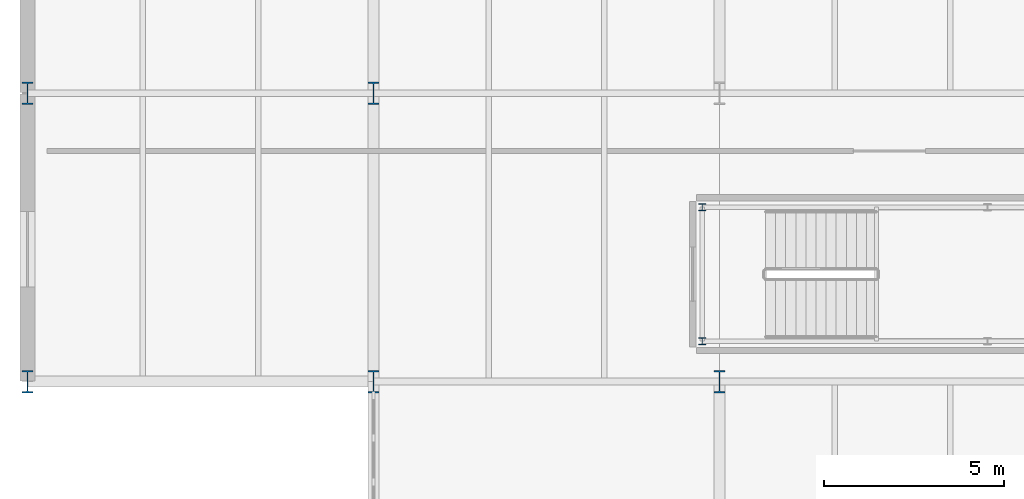
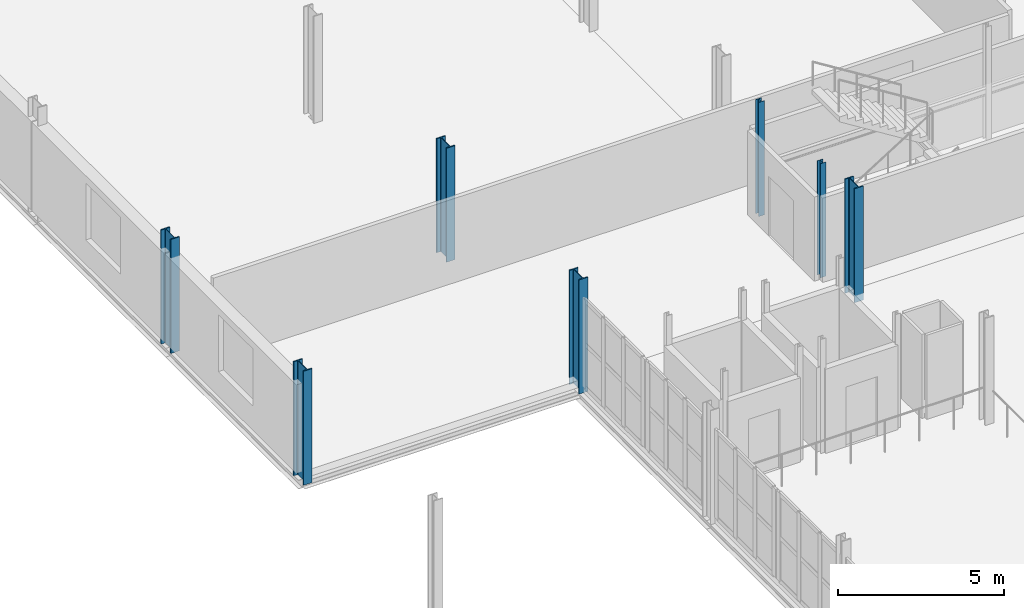
# One storey, part 13 of 78: 7 columns.
"""IFC4 building model written with IfcOpenShell, lengths in metres."""

from ifc_helpers import new_model, si_unit, direction, frame, origin, origin_2d, place, context, subcontext, project, spatial, i_section, extrude, material, material_profile, profile_set, type_object, element, save


model = new_model("IFC4")

# Units and contexts
model_context = context("Model", 3, precision=1e-05, world=origin(), true_north=direction((0.0, 1.0)))
body_context = subcontext(model_context, "Body", "Model", "MODEL_VIEW")
ifc_project = project(units=[si_unit("LENGTHUNIT", "METRE"), si_unit("AREAUNIT", "SQUARE_METRE"), si_unit("VOLUMEUNIT", "CUBIC_METRE"), si_unit("PLANEANGLEUNIT", "RADIAN"), si_unit("MASSUNIT", "GRAM", prefix="KILO")], contexts=[model_context])

# Site, building, storey
site_placement = place(None, origin())
site = spatial("IfcSite", under=ifc_project, at=site_placement, CompositionType="ELEMENT")
building_placement = place(site_placement, origin())
building = spatial("IfcBuilding", under=site, at=building_placement, Name="Alderhovde Museum", CompositionType="ELEMENT")
storey_placement = place(building_placement, frame((0.0, 0.0, 4.5)))
storey = spatial("IfcBuildingStorey", under=building, at=storey_placement, Name="L01", CompositionType="ELEMENT", Elevation=4.5)

# Columns
ifc_material_1 = material(Name="Steel S355J2", Category="steel")
ifc_material_profile_1 = material_profile(ifc_material_1, i_section(OverallWidth=0.199951171875, OverallDepth=0.18994140625, WebThickness=0.006591796875, FlangeThickness=0.010009765625, FilletRadius=0.01806640625, at=origin_2d()), Name="HEA 200")
ifc_profile_set_1 = profile_set([ifc_material_profile_1], Name="Steel S355J2")
column_type_1 = type_object("IfcColumnType", Name="COL-HEA200", PredefinedType="COLUMN", material=ifc_profile_set_1)
for number, where, z_axis, x_axis, name in (
    (1, (28.320068359375, 81.1201171875, 0.0), (0.0, 0.0, 1.0), (1.0, 0.0, 0.0), "L01 Stair ST2 Shaft Column 1"),
    (2, (28.320068359375, 84.840087890625, 0.0), (0.0, 0.0, 1.0), (1.0, 0.0, 0.0), "L01 Stair ST2 Shaft Column 4"),
):
    element("IfcColumn", number, at=place(storey_placement, frame(where, z_axis=z_axis, x_axis=x_axis)), inside=storey, type_object=column_type_1, Name=name, PredefinedType="COLUMN", context=body_context, shape_type="SweptSolid", body=[
        extrude(i_section(OverallWidth=0.199951171875, OverallDepth=0.18994140625, WebThickness=0.006591796875, FlangeThickness=0.010009765625, FilletRadius=0.01806640625, at=origin_2d()), origin(), (0.0, 0.0, 1.0), 4.199951171875),
    ])
ifc_material_2 = material(Name="Steel S355J2", Category="steel")
ifc_material_profile_2 = material_profile(ifc_material_2, i_section(OverallWidth=0.304931640625, OverallDepth=0.6201171875, WebThickness=0.02099609375, FlangeThickness=0.0400390625, FilletRadius=0.027099609375, at=origin_2d()), Name="HEM 600")
ifc_profile_set_2 = profile_set([ifc_material_profile_2], Name="Steel S355J2")
column_type_2 = type_object("IfcColumnType", Name="COL-HEM600", PredefinedType="COLUMN", material=ifc_profile_set_2)
for number, where, z_axis, x_axis, name in (
    (3, (9.60009765625, 80.0, -0.260009765625), (0.0, 0.0, 1.0), (1.0, 0.0, 0.0), "L01 Column (9.6, 80.0)"),
    (4, (9.60009765625, 88.0, -0.260009765625), (0.0, 0.0, 1.0), (1.0, 0.0, 0.0), "L01 Column (9.6, 88.0)"),
    (5, (19.199951171875, 80.0, -0.260009765625), (0.0, 0.0, 1.0), (1.0, 0.0, 0.0), "L01 Column (19.2, 80.0)"),
    (6, (19.199951171875, 88.0, -0.260009765625), (0.0, 0.0, 1.0), (1.0, 0.0, 0.0), "L01 Column (19.2, 88.0)"),
    (7, (28.800048828125, 80.0, -0.260009765625), (0.0, 0.0, 1.0), (1.0, 0.0, 0.0), "L01 Column (28.8, 80.0)"),
):
    element("IfcColumn", number, at=place(storey_placement, frame(where, z_axis=z_axis, x_axis=x_axis)), inside=storey, type_object=column_type_2, Name=name, PredefinedType="COLUMN", context=body_context, shape_type="SweptSolid", body=[
        extrude(i_section(OverallWidth=0.304931640625, OverallDepth=0.6201171875, WebThickness=0.02099609375, FlangeThickness=0.0400390625, FilletRadius=0.027099609375, at=origin_2d()), origin(), (0.0, 0.0, 1.0), 4.199951171875),
    ])

save(model, "model.ifc")
